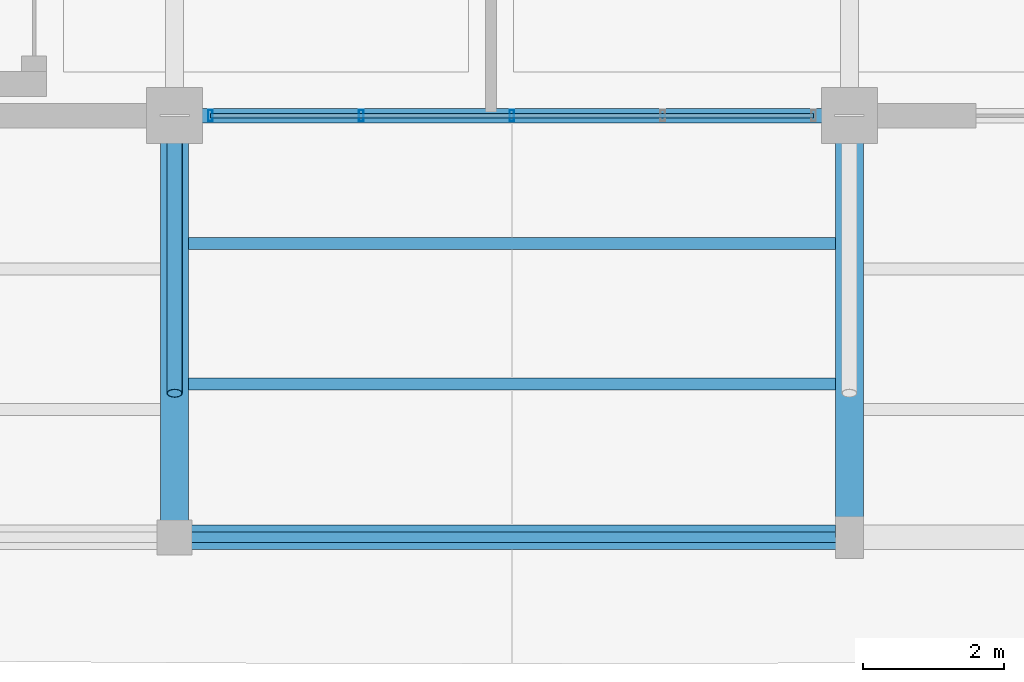
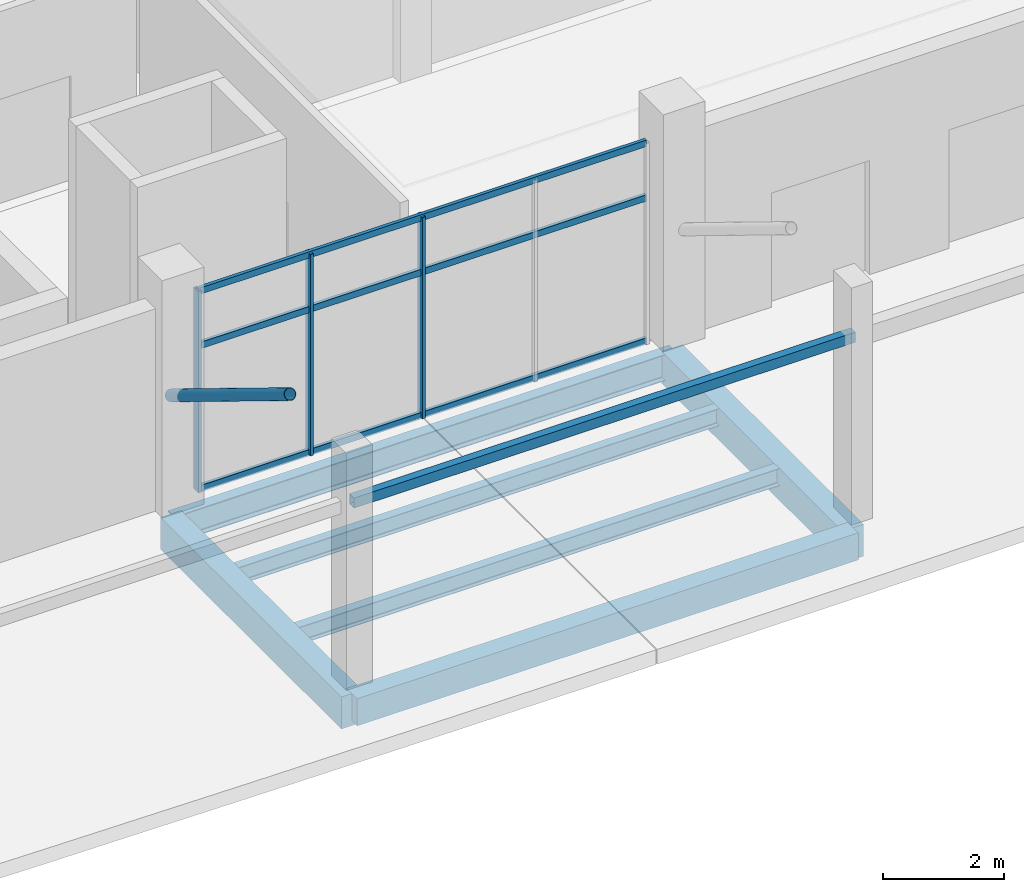
# One storey, part 37 of 116: 7 beams, 7 members, 1 element without a shape of its own.
"""IFC4 building model written with IfcOpenShell, lengths in metres."""

from ifc_helpers import new_model, si_unit, direction, frame, origin, origin_2d, place, context, subcontext, project, spatial, rectangle, hollow_rectangle, hollow_circle, i_section, extrude, material, layer, layer_set, material_profile, profile_set, type_object, element, aggregate, save


model = new_model("IFC4")

# Units and contexts
model_context = context("Model", 3, precision=1e-05, world=origin(), true_north=direction((0.0, 1.0)))
body_context = subcontext(model_context, "Body", "Model", "MODEL_VIEW")
ifc_project = project(units=[si_unit("LENGTHUNIT", "METRE"), si_unit("AREAUNIT", "SQUARE_METRE"), si_unit("VOLUMEUNIT", "CUBIC_METRE"), si_unit("PLANEANGLEUNIT", "RADIAN"), si_unit("MASSUNIT", "GRAM", prefix="KILO")], contexts=[model_context])

# Site, building, storey
site_placement = place(None, origin())
site = spatial("IfcSite", under=ifc_project, at=site_placement, CompositionType="ELEMENT")
building_placement = place(site_placement, origin())
building = spatial("IfcBuilding", under=site, at=building_placement, Name="Chalmorin Arch Market", CompositionType="ELEMENT")
storey_placement = place(building_placement, origin())
storey = spatial("IfcBuildingStorey", under=building, at=storey_placement, Name="L00", CompositionType="ELEMENT", Elevation=0.0)

# Member
ifc_material_1 = material(Name="Steel A500 Grade C", Category="steel")
ifc_material_profile_1 = material_profile(ifc_material_1, hollow_circle(Radius=0.109619140625, WallThickness=0.00830078125, at=origin_2d()), Name="CHS219X8")
ifc_profile_set_1 = profile_set([ifc_material_profile_1], Name="Steel A500 Grade C")
member_type_1 = type_object("IfcMemberType", Name="CanopyRakingStrut-CHS219", PredefinedType="STRUT", material=ifc_profile_set_1)
member_1_placement = place(storey_placement, frame((57.60009765625, 6.0, 2.10009765625), z_axis=(0.0, -0.852698951307, 0.522402621012), x_axis=(1.0, 0.0, 0.0)))
element("IfcMember", 1, at=member_1_placement, inside=storey, type_object=member_type_1, Name="ST-CH219-0007", PredefinedType="STRUT", context=body_context, shape_type="SweptSolid", body=[
    extrude(hollow_circle(Radius=0.109619140625, WallThickness=0.00830078125, at=origin_2d()), origin(), (0.0, 0.0, 1.0), 4.63232421875),
])

# Curtain wall, members
ifc_material_2 = material(Name="Aluminium 6063-T6", Category="aluminium")
ifc_layer = layer(ifc_material_2, 0.159912109375)
ifc_layer_set = layer_set([ifc_layer], Name="Aluminium 6063-T6")
curtain_wall_type = type_object("IfcCurtainWallType", Name="RiverfrontStorefrontCurtainWall-CW2-8580x4080", PredefinedType="NOTDEFINED", material=ifc_layer_set)
curtain_wall_placement = place(storey_placement, origin())
curtain_wall = element("IfcCurtainWall", 2, at=curtain_wall_placement, inside=storey, type_object=curtain_wall_type, Name="CW-02-003", PredefinedType="NOTDEFINED")
ifc_material_profile_2 = material_profile(ifc_material_2, hollow_rectangle(XDim=0.06494140625, YDim=0.159912109375, WallThickness=0.00390625, at=origin_2d()), Name="ALU65X160X4")
ifc_profile_set_2 = profile_set([ifc_material_profile_2], Name="Aluminium 6063-T6")
member_type_2 = type_object("IfcMemberType", Name="CurtainWallMullion-65x160", PredefinedType="MULLION", material=ifc_profile_set_2)
member_2_placement = place(storey_placement, frame((58.110107421875, 6.0, 0.0), z_axis=(0.0, 0.0, 1.0), x_axis=(1.0, 0.0, 0.0)))
member_2 = element("IfcMember", 3, at=member_2_placement, type_object=member_type_2, Name="ML-003-01", PredefinedType="MULLION", context=body_context, shape_type="SweptSolid", body=[
    extrude(hollow_rectangle(XDim=0.06494140625, YDim=0.159912109375, WallThickness=0.00390625, at=origin_2d()), origin(), (0.0, 0.0, 1.0), 4.075927734375),
])
member_3_placement = place(storey_placement, frame((60.2548828125, 6.0, 0.0), z_axis=(0.0, 0.0, 1.0), x_axis=(1.0, 0.0, 0.0)))
member_3 = element("IfcMember", 4, at=member_3_placement, type_object=member_type_2, Name="ML-003-02", PredefinedType="MULLION", context=body_context, shape_type="SweptSolid", body=[
    extrude(hollow_rectangle(XDim=0.06494140625, YDim=0.159912109375, WallThickness=0.00390625, at=origin_2d()), origin(), (0.0, 0.0, 1.0), 4.075927734375),
])
member_4_placement = place(storey_placement, frame((62.39990234375, 6.0, 0.0), z_axis=(0.0, 0.0, 1.0), x_axis=(1.0, 0.0, 0.0)))
member_4 = element("IfcMember", 5, at=member_4_placement, type_object=member_type_2, Name="ML-003-03", PredefinedType="MULLION", context=body_context, shape_type="SweptSolid", body=[
    extrude(hollow_rectangle(XDim=0.06494140625, YDim=0.159912109375, WallThickness=0.00390625, at=origin_2d()), origin(), (0.0, 0.0, 1.0), 4.075927734375),
])
ifc_material_profile_3 = material_profile(ifc_material_2, hollow_rectangle(XDim=0.06494140625, YDim=0.1298828125, WallThickness=0.00390625, at=origin_2d()), Name="ALU65X130X4")
ifc_profile_set_3 = profile_set([ifc_material_profile_3], Name="Aluminium 6063-T6")
member_type_3 = type_object("IfcMemberType", Name="CurtainWallTransom-65x130", PredefinedType="USERDEFINED", material=ifc_profile_set_3)
member_5_placement = place(storey_placement, frame((58.110107421875, 6.0, 0.034912109375), z_axis=(1.0, 0.0, 0.0), x_axis=(0.0, 1.0, 0.0)))
member_5 = element("IfcMember", 6, at=member_5_placement, type_object=member_type_3, Name="TR-003-01", ObjectType="TRANSOM", PredefinedType="USERDEFINED", context=body_context, shape_type="SweptSolid", body=[
    extrude(hollow_rectangle(XDim=0.06494140625, YDim=0.1298828125, WallThickness=0.00390625, at=origin_2d()), origin(), (0.0, 0.0, 1.0), 8.579833984375),
])
member_6_placement = place(storey_placement, frame((58.110107421875, 6.0, 2.934814453125), z_axis=(1.0, 0.0, 0.0), x_axis=(0.0, 1.0, 0.0)))
member_6 = element("IfcMember", 7, at=member_6_placement, type_object=member_type_3, Name="TR-003-02", ObjectType="TRANSOM", PredefinedType="USERDEFINED", context=body_context, shape_type="SweptSolid", body=[
    extrude(hollow_rectangle(XDim=0.06494140625, YDim=0.1298828125, WallThickness=0.00390625, at=origin_2d()), origin(), (0.0, 0.0, 1.0), 8.579833984375),
])
member_7_placement = place(storey_placement, frame((58.110107421875, 6.0, 4.041015625), z_axis=(1.0, 0.0, 0.0), x_axis=(0.0, 1.0, 0.0)))
member_7 = element("IfcMember", 8, at=member_7_placement, type_object=member_type_3, Name="TR-003-03", ObjectType="TRANSOM", PredefinedType="USERDEFINED", context=body_context, shape_type="SweptSolid", body=[
    extrude(hollow_rectangle(XDim=0.06494140625, YDim=0.1298828125, WallThickness=0.00390625, at=origin_2d()), origin(), (0.0, 0.0, 1.0), 8.579833984375),
])
aggregate(curtain_wall, [member_2, member_3, member_4, member_5, member_6, member_7])

# Beams
ifc_material_3 = material(Name="Concrete C40/50", Category="concrete")
ifc_material_profile_4 = material_profile(ifc_material_3, rectangle(XDim=0.39990234375, YDim=0.64990234375, at=origin_2d()), Name="RC400X650")
ifc_profile_set_4 = profile_set([ifc_material_profile_4], Name="Concrete C40/50")
beam_type_1 = type_object("IfcBeamType", Name="MezzanineConcreteBeam-400x650", PredefinedType="BEAM", material=ifc_profile_set_4)
for number, where, z_axis, x_axis, name in (
    (9, (57.60009765625, 0.0, -0.626953125), (0.0, 1.0, 0.0), (-1.0, 0.0, 0.0), "BM-RC3-0559"),
    (10, (67.199951171875, 0.0, -0.626953125), (0.0, 1.0, 0.0), (-1.0, 0.0, 0.0), "BM-RC3-0561"),
):
    element("IfcBeam", number, at=place(storey_placement, frame(where, z_axis=z_axis, x_axis=x_axis)), inside=storey, type_object=beam_type_1, Name=name, PredefinedType="BEAM", context=body_context, shape_type="SweptSolid", body=[
        extrude(rectangle(XDim=0.39990234375, YDim=0.64990234375, at=origin_2d()), origin(), (0.0, 0.0, 1.0), 6.0),
    ])
ifc_material_profile_5 = material_profile(ifc_material_1, hollow_rectangle(XDim=0.15234375, YDim=0.203125, WallThickness=0.0087890625, at=origin_2d()), Name="HSS8X6X3/8")
ifc_profile_set_5 = profile_set([ifc_material_profile_5], Name="Steel A500 Grade C")
beam_type_2 = type_object("IfcBeamType", Name="OpeningLintelBeam-HSS8X6", PredefinedType="LINTEL", material=ifc_profile_set_5)
beam_1_placement = place(storey_placement, frame((57.60009765625, 0.0, 3.60009765625), z_axis=(1.0, 0.0, 0.0), x_axis=(0.0, 1.0, 0.0)))
element("IfcBeam", 11, at=beam_1_placement, inside=storey, type_object=beam_type_2, Name="LN-03-1762", PredefinedType="LINTEL", context=body_context, shape_type="SweptSolid", body=[
    extrude(hollow_rectangle(XDim=0.15234375, YDim=0.203125, WallThickness=0.0087890625, at=origin_2d()), origin(), (0.0, 0.0, 1.0), 9.599853515625),
])
ifc_material_4 = material(Name="Steel A992 Grade 50", Category="steel")
ifc_material_profile_6 = material_profile(ifc_material_4, i_section(OverallWidth=0.208984375, OverallDepth=0.532958984375, WebThickness=0.01025390625, FlangeThickness=0.015625, FilletRadius=0.02197265625, at=origin_2d()), Name="W21X62")
ifc_profile_set_6 = profile_set([ifc_material_profile_6], Name="Steel A992 Grade 50")
beam_type_3 = type_object("IfcBeamType", Name="PerimeterSpandrelBeam-W21X62", PredefinedType="SPANDREL", material=ifc_profile_set_6)
beam_2_placement = place(storey_placement, frame((57.60009765625, 6.0, -0.568603515625), z_axis=(1.0, 0.0, 0.0), x_axis=(0.0, 1.0, 0.0)))
element("IfcBeam", 12, at=beam_2_placement, inside=storey, type_object=beam_type_3, Name="SP-W21-0020", PredefinedType="SPANDREL", context=body_context, shape_type="SweptSolid", body=[
    extrude(i_section(OverallWidth=0.208984375, OverallDepth=0.532958984375, WebThickness=0.01025390625, FlangeThickness=0.015625, FilletRadius=0.02197265625, at=origin_2d()), origin(), (0.0, 0.0, 1.0), 9.599853515625),
])
ifc_material_profile_7 = material_profile(ifc_material_4, i_section(OverallWidth=0.1708984375, OverallDepth=0.35107421875, WebThickness=0.0068359375, FlangeThickness=0.009765625, FilletRadius=0.014892578125, at=origin_2d()), Name="W14X30")
ifc_profile_set_7 = profile_set([ifc_material_profile_7], Name="Steel A992 Grade 50")
beam_type_4 = type_object("IfcBeamType", Name="SecondaryFloorJoist-W14X30", PredefinedType="JOIST", material=ifc_profile_set_7)
for number, where, z_axis, x_axis, name in (
    (13, (57.60009765625, 2.179931640625, -0.4775390625), (1.0, 0.0, 0.0), (0.0, 1.0, 0.0), "BJ-W14-0586"),
    (14, (57.60009765625, 4.179931640625, -0.4775390625), (1.0, 0.0, 0.0), (0.0, 1.0, 0.0), "BJ-W14-0587"),
):
    element("IfcBeam", number, at=place(storey_placement, frame(where, z_axis=z_axis, x_axis=x_axis)), inside=storey, type_object=beam_type_4, Name=name, PredefinedType="JOIST", context=body_context, shape_type="SweptSolid", body=[
        extrude(i_section(OverallWidth=0.1708984375, OverallDepth=0.35107421875, WebThickness=0.0068359375, FlangeThickness=0.009765625, FilletRadius=0.014892578125, at=origin_2d()), origin(), (0.0, 0.0, 1.0), 9.599853515625),
    ])
ifc_material_profile_8 = material_profile(ifc_material_3, rectangle(XDim=0.35009765625, YDim=0.550048828125, at=origin_2d()), Name="RC350X550")
ifc_profile_set_8 = profile_set([ifc_material_profile_8], Name="Concrete C40/50")
beam_type_5 = type_object("IfcBeamType", Name="TerraceEdgeBeam-350x550", PredefinedType="SPANDREL", material=ifc_profile_set_8)
beam_3_placement = place(storey_placement, frame((57.60009765625, 0.0, -0.576904296875), z_axis=(1.0, 0.0, 0.0), x_axis=(0.0, 1.0, 0.0)))
element("IfcBeam", 15, at=beam_3_placement, inside=storey, type_object=beam_type_5, Name="SP-RC1-0560", PredefinedType="SPANDREL", context=body_context, shape_type="SweptSolid", body=[
    extrude(rectangle(XDim=0.35009765625, YDim=0.550048828125, at=origin_2d()), origin(), (0.0, 0.0, 1.0), 9.599853515625),
])

save(model, "model.ifc")
